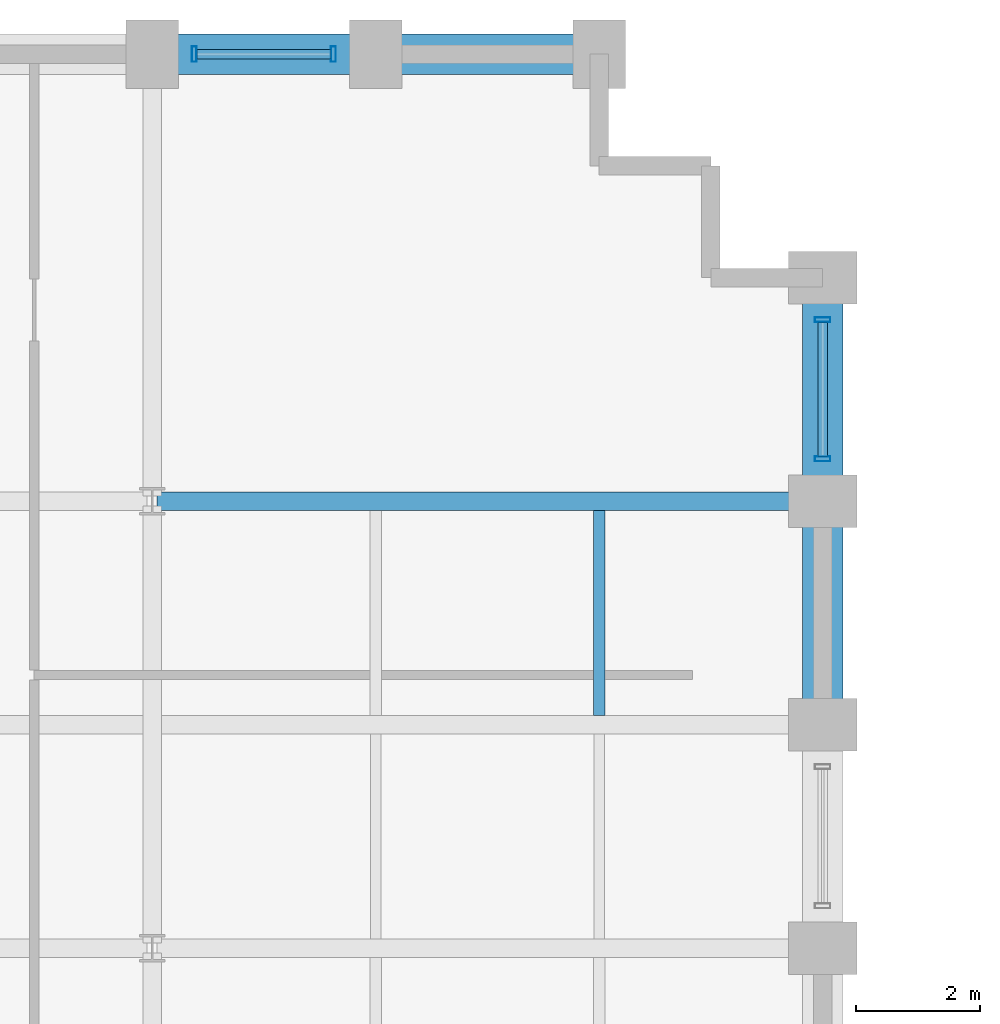
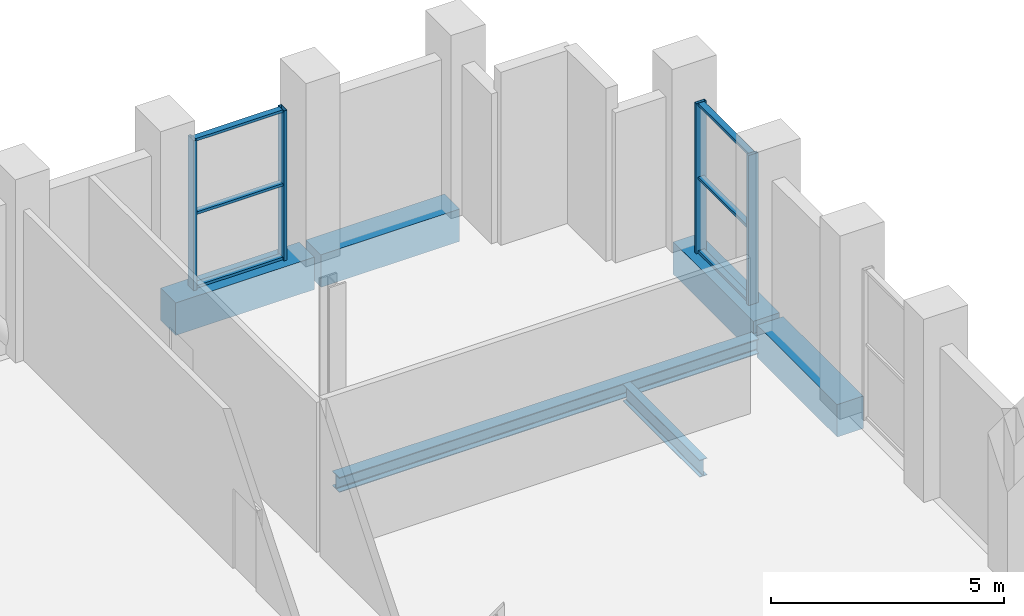
# One storey, part 16 of 22: 10 members, 6 beams, 2 elements without a shape of their own.
"""IFC4 building model written with IfcOpenShell, lengths in metres."""

from ifc_helpers import new_model, si_unit, direction, frame, origin, origin_2d, place, context, subcontext, project, spatial, rectangle, hollow_rectangle, i_section, extrude, material, layer, layer_set, material_profile, profile_set, type_object, element, aggregate, save


model = new_model("IFC4")

# Units and contexts
model_context = context("Model", 3, precision=1e-05, world=origin(), true_north=direction((0.0, 1.0)))
body_context = subcontext(model_context, "Body", "Model", "MODEL_VIEW")
ifc_project = project(units=[si_unit("LENGTHUNIT", "METRE"), si_unit("AREAUNIT", "SQUARE_METRE"), si_unit("VOLUMEUNIT", "CUBIC_METRE"), si_unit("PLANEANGLEUNIT", "RADIAN"), si_unit("MASSUNIT", "GRAM", prefix="KILO")], contexts=[model_context])

# Site, building, storey
site_placement = place(None, origin())
site = spatial("IfcSite", under=ifc_project, at=site_placement, CompositionType="ELEMENT")
building_placement = place(site_placement, origin())
building = spatial("IfcBuilding", under=site, at=building_placement, Name="Solnavia Interchange Tower", CompositionType="ELEMENT")
storey_placement = place(building_placement, frame((0.0, 0.0, 115.199951171875)))
storey = spatial("IfcBuildingStorey", under=building, at=storey_placement, Name="L28", CompositionType="ELEMENT", Elevation=115.199951171875)

# Beams
ifc_material_1 = material(Name="Steel S355", Category="steel")
ifc_material_profile_1 = material_profile(ifc_material_1, i_section(OverallWidth=0.18994140625, OverallDepth=0.449951171875, WebThickness=0.009521484375, FlangeThickness=0.0146484375, FilletRadius=0.02099609375, at=origin_2d()), Name="IPE 450")
ifc_profile_set_1 = profile_set([ifc_material_profile_1], Name="Steel S355")
beam_type_1 = type_object("IfcBeamType", Name="Beam-Joist-IPE450", PredefinedType="JOIST", material=ifc_profile_set_1)
beam_1_placement = place(storey_placement, frame((25.199951171875, 36.14990234375, -0.544921875), z_axis=(0.0, 1.0, 0.0), x_axis=(-1.0, 0.0, 0.0)))
element("IfcBeam", 1, at=beam_1_placement, inside=storey, type_object=beam_type_1, Name="JST-L28-N28 North wing secondary joist", PredefinedType="JOIST", context=body_context, shape_type="SweptSolid", body=[
    extrude(i_section(OverallWidth=0.18994140625, OverallDepth=0.449951171875, WebThickness=0.009521484375, FlangeThickness=0.0146484375, FilletRadius=0.02099609375, at=origin_2d()), origin(), (0.0, 0.0, 1.0), 3.300048828125),
])
ifc_material_profile_2 = material_profile(ifc_material_1, i_section(OverallWidth=0.300048828125, OverallDepth=0.389892578125, WebThickness=0.010986328125, FlangeThickness=0.01904296875, FilletRadius=0.027099609375, at=origin_2d()), Name="HEA 400")
ifc_profile_set_2 = profile_set([ifc_material_profile_2], Name="Steel S355")
beam_type_2 = type_object("IfcBeamType", Name="Beam-Primary-HEA400", PredefinedType="BEAM", material=ifc_profile_set_2)
beam_2_placement = place(storey_placement, frame((18.080078125, 39.60009765625, -0.514892578125), z_axis=(1.0, 0.0, 0.0), x_axis=(0.0, 1.0, 0.0)))
element("IfcBeam", 2, at=beam_2_placement, inside=storey, type_object=beam_type_2, Name="GRD-L28-NW19 North wing primary floor girder", PredefinedType="BEAM", context=body_context, shape_type="SweptSolid", body=[
    extrude(i_section(OverallWidth=0.300048828125, OverallDepth=0.389892578125, WebThickness=0.010986328125, FlangeThickness=0.01904296875, FilletRadius=0.027099609375, at=origin_2d()), origin(), (0.0, 0.0, 1.0), 10.639892578125),
])
ifc_material_2 = material(Name="Concrete C50/60", Category="concrete")
ifc_material_profile_3 = material_profile(ifc_material_2, rectangle(XDim=0.64990234375, YDim=0.85009765625, at=origin_2d()), Name="RC 650x850")
ifc_profile_set_3 = profile_set([ifc_material_profile_3], Name="Concrete C50/60")
beam_type_3 = type_object("IfcBeamType", Name="Beam-Spandrel-RC650x850", PredefinedType="SPANDREL", material=ifc_profile_set_3)
beam_3_placement = place(storey_placement, frame((28.800048828125, 36.080078125, -0.425048828125), z_axis=(0.0, 1.0, 0.0), x_axis=(-1.0, 0.0, 0.0)))
element("IfcBeam", 3, at=beam_3_placement, inside=storey, type_object=beam_type_3, Name="SPB-L28-29 Framed-tube perimeter spandrel beam", PredefinedType="SPANDREL", context=body_context, shape_type="SweptSolid", body=[
    extrude(rectangle(XDim=0.64990234375, YDim=0.85009765625, at=origin_2d()), origin(), (0.0, 0.0, 1.0), 3.43994140625),
])
for number, where, z_axis, x_axis, name in (
    (4, (28.800048828125, 39.679931640625, -0.425048828125), (0.0, 1.0, 0.0), (-1.0, 0.0, 0.0), "SPB-L28-30 Framed-tube perimeter spandrel beam"),
    (5, (25.1201171875, 46.800048828125, -0.425048828125), (-1.0, 0.0, 0.0), (0.0, -1.0, 0.0), "SPB-L28-31 Framed-tube perimeter spandrel beam"),
):
    element("IfcBeam", number, at=place(storey_placement, frame(where, z_axis=z_axis, x_axis=x_axis)), inside=storey, type_object=beam_type_3, Name=name, PredefinedType="SPANDREL", context=body_context, shape_type="SweptSolid", body=[
        extrude(rectangle(XDim=0.64990234375, YDim=0.85009765625, at=origin_2d()), origin(), (0.0, 0.0, 1.0), 3.440185546875),
    ])
beam_4_placement = place(storey_placement, frame((21.52001953125, 46.800048828125, -0.425048828125), z_axis=(-1.0, 0.0, 0.0), x_axis=(0.0, -1.0, 0.0)))
element("IfcBeam", 6, at=beam_4_placement, inside=storey, type_object=beam_type_3, Name="SPB-L28-32 Framed-tube perimeter spandrel beam", PredefinedType="SPANDREL", context=body_context, shape_type="SweptSolid", body=[
    extrude(rectangle(XDim=0.64990234375, YDim=0.85009765625, at=origin_2d()), origin(), (0.0, 0.0, 1.0), 3.43994140625),
])

# Curtain wall, members
ifc_material_3 = material(Name="Aluminium Alloy 6063-T6", Category="aluminium")
ifc_layer = layer(ifc_material_3, 0.27001953125)
ifc_layer_set = layer_set([ifc_layer], Name="Aluminium Alloy 6063-T6")
curtain_wall_type = type_object("IfcCurtainWallType", Name="CurtainWall-SkyLobby-CTW4", PredefinedType="NOTDEFINED", material=ifc_layer_set)
curtain_wall_1_placement = place(storey_placement, origin())
curtain_wall_1 = element("IfcCurtainWall", 7, at=curtain_wall_1_placement, inside=storey, type_object=curtain_wall_type, Name="CTW-L28-S36 CTW-4 curtain wall", PredefinedType="NOTDEFINED")
ifc_material_profile_4 = material_profile(ifc_material_3, hollow_rectangle(XDim=0.080078125, YDim=0.25, WallThickness=0.006103515625, at=origin_2d()), Name="ALU 250x80x6")
ifc_profile_set_4 = profile_set([ifc_material_profile_4], Name="Aluminium Alloy 6063-T6")
member_type_1 = type_object("IfcMemberType", Name="CW-Mullion-CWM-4", PredefinedType="MULLION", material=ifc_profile_set_4)
member_1_placement = place(storey_placement, frame((28.800048828125, 40.280029296875, 0.0), z_axis=(0.0, 0.0, 1.0), x_axis=(0.0, 1.0, 0.0)))
member_1 = element("IfcMember", 8, at=member_1_placement, type_object=member_type_1, Name="CTW-4 mullion 1", PredefinedType="MULLION", context=body_context, shape_type="SweptSolid", body=[
    extrude(hollow_rectangle(XDim=0.080078125, YDim=0.25, WallThickness=0.006103515625, at=origin_2d()), origin(), (0.0, 0.0, 1.0), 3.929931640625),
])
member_2_placement = place(storey_placement, frame((28.800048828125, 42.52001953125, 0.0), z_axis=(0.0, 0.0, 1.0), x_axis=(0.0, 1.0, 0.0)))
member_2 = element("IfcMember", 9, at=member_2_placement, type_object=member_type_1, Name="CTW-4 mullion 2", PredefinedType="MULLION", context=body_context, shape_type="SweptSolid", body=[
    extrude(hollow_rectangle(XDim=0.080078125, YDim=0.25, WallThickness=0.006103515625, at=origin_2d()), origin(), (0.0, 0.0, 1.0), 3.929931640625),
])

curtain_wall_2_placement = place(storey_placement, origin())
curtain_wall_2 = element("IfcCurtainWall", 10, at=curtain_wall_2_placement, inside=storey, type_object=curtain_wall_type, Name="CTW-L28-S42 CTW-4 curtain wall", PredefinedType="NOTDEFINED")
member_3_placement = place(storey_placement, frame((20.919921875, 46.800048828125, 0.0), z_axis=(0.0, 0.0, 1.0), x_axis=(-1.0, 0.0, 0.0)))
member_3 = element("IfcMember", 11, at=member_3_placement, type_object=member_type_1, Name="CTW-4 mullion 1", PredefinedType="MULLION", context=body_context, shape_type="SweptSolid", body=[
    extrude(hollow_rectangle(XDim=0.080078125, YDim=0.25, WallThickness=0.006103515625, at=origin_2d()), origin(), (0.0, 0.0, 1.0), 3.929931640625),
])
member_4_placement = place(storey_placement, frame((18.679931640625, 46.800048828125, 0.0), z_axis=(0.0, 0.0, 1.0), x_axis=(-1.0, 0.0, 0.0)))
member_4 = element("IfcMember", 12, at=member_4_placement, type_object=member_type_1, Name="CTW-4 mullion 2", PredefinedType="MULLION", context=body_context, shape_type="SweptSolid", body=[
    extrude(hollow_rectangle(XDim=0.080078125, YDim=0.25, WallThickness=0.006103515625, at=origin_2d()), origin(), (0.0, 0.0, 1.0), 3.929931640625),
])

# Member
ifc_material_profile_5 = material_profile(ifc_material_3, hollow_rectangle(XDim=0.070068359375, YDim=0.14990234375, WallThickness=0.00439453125, at=origin_2d()), Name="ALU 150x70x4.5")
ifc_profile_set_5 = profile_set([ifc_material_profile_5], Name="Aluminium Alloy 6063-T6")
member_type_2 = type_object("IfcMemberType", Name="CW-Transom-CWT-4", PredefinedType="USERDEFINED", material=ifc_profile_set_5)
member_5_placement = place(storey_placement, frame((28.800048828125, 40.320068359375, 0.03515625), z_axis=(0.0, 1.0, 0.0), x_axis=(0.0, 0.0, 1.0)))
member_5 = element("IfcMember", 13, at=member_5_placement, type_object=member_type_2, Name="CTW-4 transom 1.1", ObjectType="TRANSOM", PredefinedType="USERDEFINED", context=body_context, shape_type="SweptSolid", body=[
    extrude(hollow_rectangle(XDim=0.070068359375, YDim=0.14990234375, WallThickness=0.00439453125, at=origin_2d()), origin(), (0.0, 0.0, 1.0), 2.159912109375),
])

member_6_placement = place(storey_placement, frame((28.800048828125, 40.320068359375, 1.965087890625), z_axis=(0.0, 1.0, 0.0), x_axis=(0.0, 0.0, 1.0)))
member_6 = element("IfcMember", 14, at=member_6_placement, type_object=member_type_2, Name="CTW-4 transom 1.2", ObjectType="TRANSOM", PredefinedType="USERDEFINED", context=body_context, shape_type="SweptSolid", body=[
    extrude(hollow_rectangle(XDim=0.070068359375, YDim=0.14990234375, WallThickness=0.00439453125, at=origin_2d()), origin(), (0.0, 0.0, 1.0), 2.159912109375),
])

member_7_placement = place(storey_placement, frame((28.800048828125, 40.320068359375, 3.89501953125), z_axis=(0.0, 1.0, 0.0), x_axis=(0.0, 0.0, 1.0)))
member_7 = element("IfcMember", 15, at=member_7_placement, type_object=member_type_2, Name="CTW-4 transom 1.3", ObjectType="TRANSOM", PredefinedType="USERDEFINED", context=body_context, shape_type="SweptSolid", body=[
    extrude(hollow_rectangle(XDim=0.070068359375, YDim=0.14990234375, WallThickness=0.00439453125, at=origin_2d()), origin(), (0.0, 0.0, 1.0), 2.159912109375),
])

aggregate(curtain_wall_1, [member_1, member_2, member_5, member_6, member_7])

member_8_placement = place(storey_placement, frame((20.8798828125, 46.800048828125, 0.03515625), z_axis=(-1.0, 0.0, 0.0), x_axis=(0.0, 0.0, 1.0)))
member_8 = element("IfcMember", 16, at=member_8_placement, type_object=member_type_2, Name="CTW-4 transom 1.1", ObjectType="TRANSOM", PredefinedType="USERDEFINED", context=body_context, shape_type="SweptSolid", body=[
    extrude(hollow_rectangle(XDim=0.070068359375, YDim=0.14990234375, WallThickness=0.00439453125, at=origin_2d()), origin(), (0.0, 0.0, 1.0), 2.159912109375),
])

member_9_placement = place(storey_placement, frame((20.8798828125, 46.800048828125, 1.965087890625), z_axis=(-1.0, 0.0, 0.0), x_axis=(0.0, 0.0, 1.0)))
member_9 = element("IfcMember", 17, at=member_9_placement, type_object=member_type_2, Name="CTW-4 transom 1.2", ObjectType="TRANSOM", PredefinedType="USERDEFINED", context=body_context, shape_type="SweptSolid", body=[
    extrude(hollow_rectangle(XDim=0.070068359375, YDim=0.14990234375, WallThickness=0.00439453125, at=origin_2d()), origin(), (0.0, 0.0, 1.0), 2.159912109375),
])

member_10_placement = place(storey_placement, frame((20.8798828125, 46.800048828125, 3.89501953125), z_axis=(-1.0, 0.0, 0.0), x_axis=(0.0, 0.0, 1.0)))
member_10 = element("IfcMember", 18, at=member_10_placement, type_object=member_type_2, Name="CTW-4 transom 1.3", ObjectType="TRANSOM", PredefinedType="USERDEFINED", context=body_context, shape_type="SweptSolid", body=[
    extrude(hollow_rectangle(XDim=0.070068359375, YDim=0.14990234375, WallThickness=0.00439453125, at=origin_2d()), origin(), (0.0, 0.0, 1.0), 2.159912109375),
])

aggregate(curtain_wall_2, [member_3, member_4, member_8, member_9, member_10])

save(model, "model.ifc")
